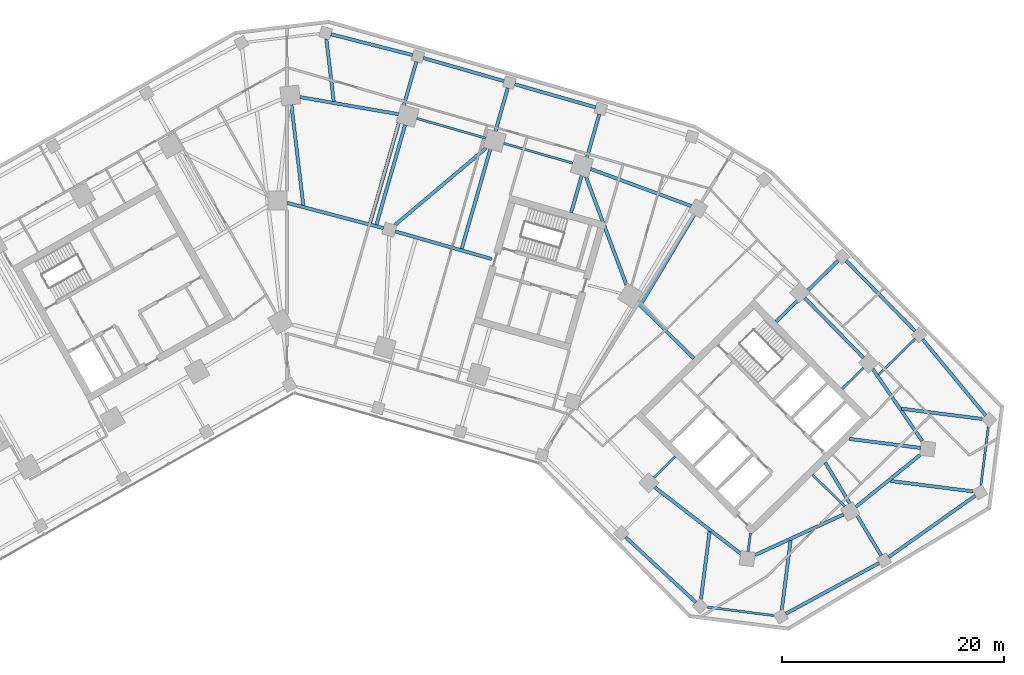
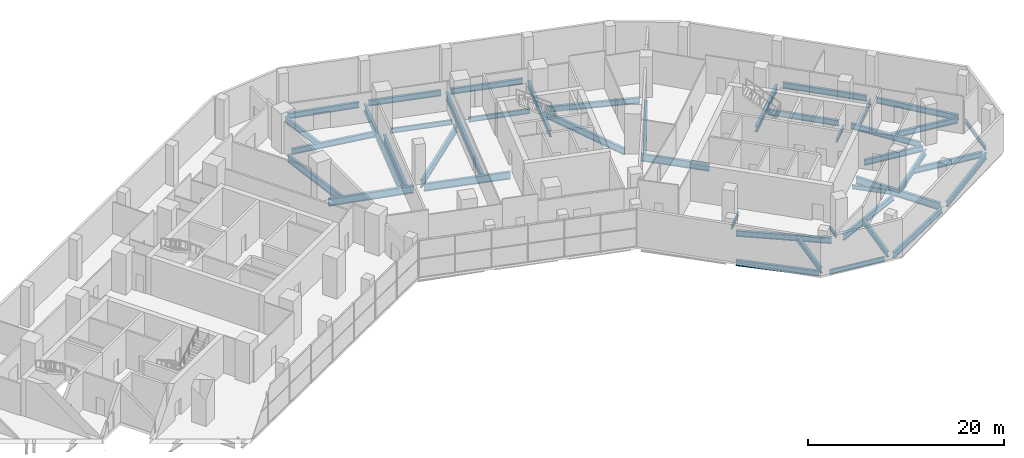
# One storey, part 6 of 15: 43 beams.
"""IFC4 building model written with IfcOpenShell, lengths in metres."""

from ifc_helpers import new_model, si_unit, direction, frame, origin, origin_2d, place, context, subcontext, project, spatial, i_section, extrude, material, material_profile, profile_set, type_object, element, save


model = new_model("IFC4")

# Units and contexts
model_context = context("Model", 3, precision=1e-05, world=origin(), true_north=direction((0.0, 1.0)))
body_context = subcontext(model_context, "Body", "Model", "MODEL_VIEW")
ifc_project = project(units=[si_unit("LENGTHUNIT", "METRE"), si_unit("AREAUNIT", "SQUARE_METRE"), si_unit("VOLUMEUNIT", "CUBIC_METRE"), si_unit("PLANEANGLEUNIT", "RADIAN"), si_unit("MASSUNIT", "GRAM", prefix="KILO")], contexts=[model_context])

# Site, building, storey
site_placement = place(None, origin())
site = spatial("IfcSite", under=ifc_project, at=site_placement, CompositionType="ELEMENT")
building_placement = place(site_placement, origin())
building = spatial("IfcBuilding", under=site, at=building_placement, Name="Binnacle Exchange Tower", CompositionType="ELEMENT")
storey_placement = place(building_placement, frame((0.0, 0.0, 16.5)))
storey = spatial("IfcBuildingStorey", under=building, at=storey_placement, Name="L03", CompositionType="ELEMENT", Elevation=16.5)

# Beams
ifc_material = material(Name="Steel S355 (SHN355)", Category="steel")
ifc_material_profile_1 = material_profile(ifc_material, i_section(OverallWidth=0.200927734375, OverallDepth=0.506103515625, WebThickness=0.010986328125, FlangeThickness=0.01904296875, FilletRadius=0.02001953125, at=origin_2d()), Name="H 506x201x11x19")
ifc_profile_set_1 = profile_set([ifc_material_profile_1], Name="Steel S355 (SHN355)")
beam_type_1 = type_object("IfcBeamType", Name="Edge girder H 506x201x11x19 Steel S355 (SHN355)", PredefinedType="SPANDREL", material=ifc_profile_set_1)
beam_1_placement = place(storey_placement, frame((63.271728515625, 39.56591796875, -0.60302734375), z_axis=(-0.126220609822, -0.992002196397, 0.0), x_axis=(0.992002196397, -0.126220609822, 0.0)))
element("IfcBeam", 1, at=beam_1_placement, inside=storey, type_object=beam_type_1, Name="S:BM:edge:L03:075", PredefinedType="SPANDREL", context=body_context, shape_type="SweptSolid", body=[
    extrude(i_section(OverallWidth=0.200927734375, OverallDepth=0.506103515625, WebThickness=0.010986328125, FlangeThickness=0.01904296875, FilletRadius=0.02001953125, at=origin_2d()), origin(), (0.0, 0.0, 1.0), 5.319091796875),
])
ifc_material_profile_2 = material_profile(ifc_material, i_section(OverallWidth=0.200927734375, OverallDepth=0.60595703125, WebThickness=0.011962890625, FlangeThickness=0.02001953125, FilletRadius=0.02197265625, at=origin_2d()), Name="H 606x201x12x20")
ifc_profile_set_2 = profile_set([ifc_material_profile_2], Name="Steel S355 (SHN355)")
beam_type_2 = type_object("IfcBeamType", Name="Edge girder H 606x201x12x20 Steel S355 (SHN355)", PredefinedType="SPANDREL", material=ifc_profile_set_2)
beam_2_placement = place(storey_placement, frame((43.931884765625, 22.540283203125, -0.653076171875), z_axis=(-0.992003760978, 0.126208312743, 0.0), x_axis=(-0.126208312743, -0.992003760978, 0.0)))
element("IfcBeam", 2, at=beam_2_placement, inside=storey, type_object=beam_type_2, Name="S:BM:edge:L03:066", PredefinedType="SPANDREL", context=body_context, shape_type="SweptSolid", body=[
    extrude(i_section(OverallWidth=0.200927734375, OverallDepth=0.60595703125, WebThickness=0.011962890625, FlangeThickness=0.02001953125, FilletRadius=0.02197265625, at=origin_2d()), origin(), (0.0, 0.0, 1.0), 6.081787109375),
])
ifc_material_profile_3 = material_profile(ifc_material, i_section(OverallWidth=0.201904296875, OverallDepth=0.612060546875, WebThickness=0.012939453125, FlangeThickness=0.02294921875, FilletRadius=0.02197265625, at=origin_2d()), Name="H 612x202x13x23")
ifc_profile_set_3 = profile_set([ifc_material_profile_3], Name="Steel S355 (SHN355)")
beam_type_3 = type_object("IfcBeamType", Name="Edge girder H 612x202x13x23 Steel S355 (SHN355)", PredefinedType="SPANDREL", material=ifc_profile_set_3)
for number, where, z_axis, x_axis, name in (
    (3, (17.92919921875, 65.610595703125, -0.656005859375), (-0.961261624999, 0.275637603213, 0.0), (-0.275637603213, -0.961261624999, 0.0), "S:BM:edge:L03:052"),
    (4, (25.78564453125, 63.35791015625, -0.656005859375), (-0.961271618025, 0.275602751036, 0.0), (-0.275602751036, -0.961271618025, 0.0), "S:BM:edge:L03:056"),
):
    element("IfcBeam", number, at=place(storey_placement, frame(where, z_axis=z_axis, x_axis=x_axis)), inside=storey, type_object=beam_type_3, Name=name, PredefinedType="SPANDREL", context=body_context, shape_type="SweptSolid", body=[
        extrude(i_section(OverallWidth=0.201904296875, OverallDepth=0.612060546875, WebThickness=0.012939453125, FlangeThickness=0.02294921875, FilletRadius=0.02197265625, at=origin_2d()), origin(), (0.0, 0.0, 1.0), 6.472900390625),
    ])
ifc_material_profile_4 = material_profile(ifc_material, i_section(OverallWidth=0.300048828125, OverallDepth=0.699951171875, WebThickness=0.012939453125, FlangeThickness=0.02392578125, FilletRadius=0.028076171875, at=origin_2d()), Name="H 700x300x13x24")
ifc_profile_set_4 = profile_set([ifc_material_profile_4], Name="Steel S355 (SHN355)")
beam_type_4 = type_object("IfcBeamType", Name="Edge girder H 700x300x13x24 Steel S355 (SHN355)", PredefinedType="SPANDREL", material=ifc_profile_set_4)
beam_3_placement = place(storey_placement, frame((3.970703125, 74.985595703125, -0.699951171875), z_axis=(0.96888078872, -0.247527811062, 0.0), x_axis=(0.247527811062, 0.96888078872, 0.0)))
element("IfcBeam", 5, at=beam_3_placement, inside=storey, type_object=beam_type_4, Name="S:BM:edge:L03:046", PredefinedType="SPANDREL", context=body_context, shape_type="SweptSolid", body=[
    extrude(i_section(OverallWidth=0.300048828125, OverallDepth=0.699951171875, WebThickness=0.012939453125, FlangeThickness=0.02392578125, FilletRadius=0.028076171875, at=origin_2d()), origin(), (0.0, 0.0, 1.0), 7.589599609375),
])
beam_4_placement = place(storey_placement, frame((10.047607421875, 67.77490234375, -0.699951171875), z_axis=(-0.985312460293, 0.17076110679, 0.0), x_axis=(-0.17076110679, -0.985312460293, 0.0)))
element("IfcBeam", 6, at=beam_4_placement, inside=storey, type_object=beam_type_4, Name="S:BM:edge:L03:049", PredefinedType="SPANDREL", context=body_context, shape_type="SweptSolid", body=[
    extrude(i_section(OverallWidth=0.300048828125, OverallDepth=0.699951171875, WebThickness=0.012939453125, FlangeThickness=0.02392578125, FilletRadius=0.028076171875, at=origin_2d()), origin(), (0.0, 0.0, 1.0), 9.005859375),
])
beam_5_placement = place(storey_placement, frame((12.289306640625, 72.84521484375, -0.699951171875), z_axis=(0.961270944274, -0.275605100996, 0.0), x_axis=(0.275605100996, 0.961270944274, 0.0)))
element("IfcBeam", 7, at=beam_5_placement, inside=storey, type_object=beam_type_4, Name="S:BM:edge:L03:050", PredefinedType="SPANDREL", context=body_context, shape_type="SweptSolid", body=[
    extrude(i_section(OverallWidth=0.300048828125, OverallDepth=0.699951171875, WebThickness=0.012939453125, FlangeThickness=0.02392578125, FilletRadius=0.028076171875, at=origin_2d()), origin(), (0.0, 0.0, 1.0), 7.586181640625),
])
beam_6_placement = place(storey_placement, frame((20.54296875, 70.478759765625, -0.699951171875), z_axis=(0.961262417922, -0.275634837948, 0.0), x_axis=(0.275634837948, 0.961262417922, 0.0)))
element("IfcBeam", 8, at=beam_6_placement, inside=storey, type_object=beam_type_4, Name="S:BM:edge:L03:054", PredefinedType="SPANDREL", context=body_context, shape_type="SweptSolid", body=[
    extrude(i_section(OverallWidth=0.300048828125, OverallDepth=0.699951171875, WebThickness=0.012939453125, FlangeThickness=0.02392578125, FilletRadius=0.028076171875, at=origin_2d()), origin(), (0.0, 0.0, 1.0), 7.58642578125),
])
beam_7_placement = place(storey_placement, frame((36.89990234375, 23.728515625, -0.699951171875), z_axis=(-0.733314595009, 0.679889479803, 0.0), x_axis=(-0.679889479803, -0.733314595009, 0.0)))
element("IfcBeam", 9, at=beam_7_placement, inside=storey, type_object=beam_type_4, Name="S:BM:edge:L03:062", PredefinedType="SPANDREL", context=body_context, shape_type="SweptSolid", body=[
    extrude(i_section(OverallWidth=0.300048828125, OverallDepth=0.699951171875, WebThickness=0.012939453125, FlangeThickness=0.02392578125, FilletRadius=0.028076171875, at=origin_2d()), origin(), (0.0, 0.0, 1.0), 8.67333984375),
])
beam_8_placement = place(storey_placement, frame((42.215576171875, 27.99365234375, -0.699951171875), z_axis=(0.909179052108, 0.416405392866, 0.0), x_axis=(-0.416405392866, 0.909179052108, 0.0)))
element("IfcBeam", 10, at=beam_8_placement, inside=storey, type_object=beam_type_4, Name="S:BM:edge:L03:064", PredefinedType="SPANDREL", context=body_context, shape_type="SweptSolid", body=[
    extrude(i_section(OverallWidth=0.300048828125, OverallDepth=0.699951171875, WebThickness=0.012939453125, FlangeThickness=0.02392578125, FilletRadius=0.028076171875, at=origin_2d()), origin(), (0.0, 0.0, 1.0), 8.801025390625),
])
beam_9_placement = place(storey_placement, frame((50.436279296875, 54.553466796875, -0.699951171875), z_axis=(0.700891088092, -0.713268310408, 0.0), x_axis=(0.713268310408, 0.700891088092, 0.0)))
element("IfcBeam", 11, at=beam_9_placement, inside=storey, type_object=beam_type_4, Name="S:BM:edge:L03:068", PredefinedType="SPANDREL", context=body_context, shape_type="SweptSolid", body=[
    extrude(i_section(OverallWidth=0.300048828125, OverallDepth=0.699951171875, WebThickness=0.012939453125, FlangeThickness=0.02392578125, FilletRadius=0.028076171875, at=origin_2d()), origin(), (0.0, 0.0, 1.0), 8.89599609375),
])
beam_10_placement = place(storey_placement, frame((52.010986328125, 45.802978515625, -0.699951171875), z_axis=(-0.700905226564, 0.713254417004, 0.0), x_axis=(-0.713254417004, -0.700905226564, 0.0)))
element("IfcBeam", 12, at=beam_10_placement, inside=storey, type_object=beam_type_4, Name="S:BM:edge:L03:070", PredefinedType="SPANDREL", context=body_context, shape_type="SweptSolid", body=[
    extrude(i_section(OverallWidth=0.300048828125, OverallDepth=0.699951171875, WebThickness=0.012939453125, FlangeThickness=0.02392578125, FilletRadius=0.028076171875, at=origin_2d()), origin(), (0.0, 0.0, 1.0), 7.57177734375),
])
beam_11_placement = place(storey_placement, frame((53.42431640625, 27.28369140625, -0.699951171875), z_axis=(-0.878284521439, -0.478138368468, 0.0), x_axis=(0.478138368468, -0.878284521439, 0.0)))
element("IfcBeam", 13, at=beam_11_placement, inside=storey, type_object=beam_type_4, Name="S:BM:edge:L03:071", PredefinedType="SPANDREL", context=body_context, shape_type="SweptSolid", body=[
    extrude(i_section(OverallWidth=0.300048828125, OverallDepth=0.699951171875, WebThickness=0.012939453125, FlangeThickness=0.02392578125, FilletRadius=0.028076171875, at=origin_2d()), origin(), (0.0, 0.0, 1.0), 9.588134765625),
])
beam_12_placement = place(storey_placement, frame((57.341796875, 47.46484375, -0.699951171875), z_axis=(0.63729683622, -0.770618415653, 0.0), x_axis=(0.770618415653, 0.63729683622, 0.0)))
element("IfcBeam", 14, at=beam_12_placement, inside=storey, type_object=beam_type_4, Name="S:BM:edge:L03:073", PredefinedType="SPANDREL", context=body_context, shape_type="SweptSolid", body=[
    extrude(i_section(OverallWidth=0.300048828125, OverallDepth=0.699951171875, WebThickness=0.012939453125, FlangeThickness=0.02392578125, FilletRadius=0.028076171875, at=origin_2d()), origin(), (0.0, 0.0, 1.0), 8.928955078125),
])
beam_13_placement = place(storey_placement, frame((62.111083984375, 33.36767578125, -0.699951171875), z_axis=(-0.815901600123, -0.578190780726, 0.0), x_axis=(0.578190780726, -0.815901600123, 0.0)))
element("IfcBeam", 15, at=beam_13_placement, inside=storey, type_object=beam_type_4, Name="S:BM:edge:L03:074", PredefinedType="SPANDREL", context=body_context, shape_type="SweptSolid", body=[
    extrude(i_section(OverallWidth=0.300048828125, OverallDepth=0.699951171875, WebThickness=0.012939453125, FlangeThickness=0.02392578125, FilletRadius=0.028076171875, at=origin_2d()), origin(), (0.0, 0.0, 1.0), 9.60693359375),
])
ifc_material_profile_5 = material_profile(ifc_material, i_section(OverallWidth=0.302001953125, OverallDepth=0.7080078125, WebThickness=0.014892578125, FlangeThickness=0.028076171875, FilletRadius=0.028076171875, at=origin_2d()), Name="H 708x302x15x28")
ifc_profile_set_5 = profile_set([ifc_material_profile_5], Name="Steel S355 (SHN355)")
beam_type_5 = type_object("IfcBeamType", Name="Edge girder H 708x302x15x28 Steel S355 (SHN355)", PredefinedType="SPANDREL", material=ifc_profile_set_5)
beam_14_placement = place(storey_placement, frame((33.160400390625, 34.12890625, -0.7041015625), z_axis=(0.791533490776, -0.611125791454, 0.0), x_axis=(0.611125791454, 0.791533490776, 0.0)))
element("IfcBeam", 16, at=beam_14_placement, inside=storey, type_object=beam_type_5, Name="S:BM:edge:L03:060", PredefinedType="SPANDREL", context=body_context, shape_type="SweptSolid", body=[
    extrude(i_section(OverallWidth=0.302001953125, OverallDepth=0.7080078125, WebThickness=0.014892578125, FlangeThickness=0.028076171875, FilletRadius=0.028076171875, at=origin_2d()), origin(), (0.0, 0.0, 1.0), 9.80712890625),
])
beam_15_placement = place(storey_placement, frame((36.464599609375, 59.490966796875, -0.7041015625), z_axis=(-0.938368148393, 0.345637408395, 0.0), x_axis=(-0.345637408395, -0.938368148393, 0.0)))
element("IfcBeam", 17, at=beam_15_placement, inside=storey, type_object=beam_type_5, Name="S:BM:edge:L03:061", PredefinedType="SPANDREL", context=body_context, shape_type="SweptSolid", body=[
    extrude(i_section(OverallWidth=0.302001953125, OverallDepth=0.7080078125, WebThickness=0.014892578125, FlangeThickness=0.028076171875, FilletRadius=0.028076171875, at=origin_2d()), origin(), (0.0, 0.0, 1.0), 9.6572265625),
])
beam_16_placement = place(storey_placement, frame((51.322265625, 32.343505859375, -0.7041015625), z_axis=(0.777568489665, 0.628798253719, 0.0), x_axis=(-0.628798253719, 0.777568489665, 0.0)))
element("IfcBeam", 18, at=beam_16_placement, inside=storey, type_object=beam_type_5, Name="S:BM:edge:L03:069", PredefinedType="SPANDREL", context=body_context, shape_type="SweptSolid", body=[
    extrude(i_section(OverallWidth=0.302001953125, OverallDepth=0.7080078125, WebThickness=0.014892578125, FlangeThickness=0.028076171875, FilletRadius=0.028076171875, at=origin_2d()), origin(), (0.0, 0.0, 1.0), 7.428955078125),
])
beam_17_placement = place(storey_placement, frame((57.305419921875, 38.299072265625, -0.7041015625), z_axis=(-0.566409202341, 0.82412415054, 0.0), x_axis=(-0.82412415054, -0.566409202341, 0.0)))
element("IfcBeam", 19, at=beam_17_placement, inside=storey, type_object=beam_type_5, Name="S:BM:edge:L03:072", PredefinedType="SPANDREL", context=body_context, shape_type="SweptSolid", body=[
    extrude(i_section(OverallWidth=0.302001953125, OverallDepth=0.7080078125, WebThickness=0.014892578125, FlangeThickness=0.028076171875, FilletRadius=0.028076171875, at=origin_2d()), origin(), (0.0, 0.0, 1.0), 7.8828125),
])
ifc_material_profile_6 = material_profile(ifc_material, i_section(OverallWidth=0.199951171875, OverallDepth=0.39990234375, WebThickness=0.008056640625, FlangeThickness=0.012939453125, FilletRadius=0.01611328125, at=origin_2d()), Name="H 400x200x8x13")
ifc_profile_set_6 = profile_set([ifc_material_profile_6], Name="Steel S355 (SHN355)")
beam_type_6 = type_object("IfcBeamType", Name="Floor beam H 400x200x8x13 Steel S355 (SHN355)", PredefinedType="BEAM", material=ifc_profile_set_6)
beam_18_placement = place(storey_placement, frame((33.104736328125, 34.985595703125, -0.550048828125), z_axis=(0.713254209224, 0.700905438004, 0.0), x_axis=(-0.700905438004, 0.713254209224, 0.0)))
element("IfcBeam", 20, at=beam_18_placement, inside=storey, type_object=beam_type_6, Name="S:BM:cross:L03:114", PredefinedType="BEAM", context=body_context, shape_type="SweptSolid", body=[
    extrude(i_section(OverallWidth=0.199951171875, OverallDepth=0.39990234375, WebThickness=0.008056640625, FlangeThickness=0.012939453125, FilletRadius=0.01611328125, at=origin_2d()), origin(), (0.0, 0.0, 1.0), 2.70849609375),
])
beam_19_placement = place(storey_placement, frame((41.601806640625, 28.319580078125, -0.550048828125), z_axis=(0.126197116971, 0.992005185303, 0.0), x_axis=(-0.992005185303, 0.126197116971, 0.0)))
element("IfcBeam", 21, at=beam_19_placement, inside=storey, type_object=beam_type_6, Name="S:BM:cross:L03:118", PredefinedType="BEAM", context=body_context, shape_type="SweptSolid", body=[
    extrude(i_section(OverallWidth=0.199951171875, OverallDepth=0.39990234375, WebThickness=0.008056640625, FlangeThickness=0.012939453125, FilletRadius=0.01611328125, at=origin_2d()), origin(), (0.0, 0.0, 1.0), 1.68115234375),
])
beam_20_placement = place(storey_placement, frame((52.003173828125, 44.8837890625, -0.550048828125), z_axis=(-0.713254209224, -0.700905438004, 0.0), x_axis=(0.700905438004, -0.713254209224, 0.0)))
element("IfcBeam", 22, at=beam_20_placement, inside=storey, type_object=beam_type_6, Name="S:BM:cross:L03:122", PredefinedType="BEAM", context=body_context, shape_type="SweptSolid", body=[
    extrude(i_section(OverallWidth=0.199951171875, OverallDepth=0.39990234375, WebThickness=0.008056640625, FlangeThickness=0.012939453125, FilletRadius=0.01611328125, at=origin_2d()), origin(), (0.0, 0.0, 1.0), 2.70849609375),
])
ifc_material_profile_7 = material_profile(ifc_material, i_section(OverallWidth=0.199951171875, OverallDepth=0.60009765625, WebThickness=0.010986328125, FlangeThickness=0.01708984375, FilletRadius=0.02197265625, at=origin_2d()), Name="H 600x200x11x17")
ifc_profile_set_7 = profile_set([ifc_material_profile_7], Name="Steel S355 (SHN355)")
beam_type_7 = type_object("IfcBeamType", Name="Floor beam H 600x200x11x17 Steel S355 (SHN355)", PredefinedType="BEAM", material=ifc_profile_set_7)
beam_21_placement = place(storey_placement, frame((56.665283203125, 47.501220703125, -0.64990234375), z_axis=(-0.713253693622, -0.70090596269, 0.0), x_axis=(0.70090596269, -0.713253693622, 0.0)))
element("IfcBeam", 23, at=beam_21_placement, inside=storey, type_object=beam_type_7, Name="S:BM:cross:L03:124", PredefinedType="BEAM", context=body_context, shape_type="SweptSolid", body=[
    extrude(i_section(OverallWidth=0.199951171875, OverallDepth=0.60009765625, WebThickness=0.010986328125, FlangeThickness=0.01708984375, FilletRadius=0.02197265625, at=origin_2d()), origin(), (0.0, 0.0, 1.0), 4.60693359375),
])
ifc_material_profile_8 = material_profile(ifc_material, i_section(OverallWidth=0.300048828125, OverallDepth=0.699951171875, WebThickness=0.012939453125, FlangeThickness=0.02392578125, FilletRadius=0.028076171875, at=origin_2d()), Name="H 700x300x13x24")
ifc_profile_set_8 = profile_set([ifc_material_profile_8], Name="Steel S355 (SHN355)")
beam_type_8 = type_object("IfcBeamType", Name="Floor beam H 700x300x13x24 Steel S355 (SHN355)", PredefinedType="BEAM", material=ifc_profile_set_8)
beam_22_placement = place(storey_placement, frame((3.5498046875, 74.571044921875, -0.699951171875), z_axis=(0.117529616855, -0.993069377819, 0.0), x_axis=(0.993069377819, 0.117529616855, 0.0)))
element("IfcBeam", 24, at=beam_22_placement, inside=storey, type_object=beam_type_8, Name="S:BM:cross:L03:104", PredefinedType="BEAM", context=body_context, shape_type="SweptSolid", body=[
    extrude(i_section(OverallWidth=0.300048828125, OverallDepth=0.699951171875, WebThickness=0.012939453125, FlangeThickness=0.02392578125, FilletRadius=0.028076171875, at=origin_2d()), origin(), (0.0, 0.0, 1.0), 5.67919921875),
])
beam_23_placement = place(storey_placement, frame((37.347412109375, 24.019775390625, -0.699951171875), z_axis=(0.126189771205, 0.992006119761, 0.0), x_axis=(-0.992006119761, 0.126189771205, 0.0)))
element("IfcBeam", 25, at=beam_23_placement, inside=storey, type_object=beam_type_8, Name="S:BM:cross:L03:117", PredefinedType="BEAM", context=body_context, shape_type="SweptSolid", body=[
    extrude(i_section(OverallWidth=0.300048828125, OverallDepth=0.699951171875, WebThickness=0.012939453125, FlangeThickness=0.02392578125, FilletRadius=0.028076171875, at=origin_2d()), origin(), (0.0, 0.0, 1.0), 6.162109375),
])
beam_24_placement = place(storey_placement, frame((44.643798828125, 23.091552734375, -0.699951171875), z_axis=(0.126227881038, 0.992001271193, 0.0), x_axis=(-0.992001271193, 0.126227881038, 0.0)))
element("IfcBeam", 26, at=beam_24_placement, inside=storey, type_object=beam_type_8, Name="S:BM:cross:L03:120", PredefinedType="BEAM", context=body_context, shape_type="SweptSolid", body=[
    extrude(i_section(OverallWidth=0.300048828125, OverallDepth=0.699951171875, WebThickness=0.012939453125, FlangeThickness=0.02392578125, FilletRadius=0.028076171875, at=origin_2d()), origin(), (0.0, 0.0, 1.0), 6.287841796875),
])
beam_25_placement = place(storey_placement, frame((57.154296875, 37.6630859375, -0.699951171875), z_axis=(-0.992006658356, 0.126185537116, 0.0), x_axis=(-0.126185537116, -0.992006658356, 0.0)))
element("IfcBeam", 27, at=beam_25_placement, inside=storey, type_object=beam_type_8, Name="S:BM:cross:L03:125", PredefinedType="BEAM", context=body_context, shape_type="SweptSolid", body=[
    extrude(i_section(OverallWidth=0.300048828125, OverallDepth=0.699951171875, WebThickness=0.012939453125, FlangeThickness=0.02392578125, FilletRadius=0.028076171875, at=origin_2d()), origin(), (0.0, 0.0, 1.0), 6.4814453125),
])
ifc_material_profile_9 = material_profile(ifc_material, i_section(OverallWidth=0.302001953125, OverallDepth=0.7080078125, WebThickness=0.014892578125, FlangeThickness=0.028076171875, FilletRadius=0.028076171875, at=origin_2d()), Name="H 708x302x15x28")
ifc_profile_set_9 = profile_set([ifc_material_profile_9], Name="Steel S355 (SHN355)")
beam_type_9 = type_object("IfcBeamType", Name="Floor beam H 708x302x15x28 Steel S355 (SHN355)", PredefinedType="BEAM", material=ifc_profile_set_9)
beam_26_placement = place(storey_placement, frame((49.72900390625, 54.5595703125, -0.7041015625), z_axis=(-0.713254513072, -0.700905128803, 0.0), x_axis=(0.700905128803, -0.713254513072, 0.0)))
element("IfcBeam", 28, at=beam_26_placement, inside=storey, type_object=beam_type_9, Name="S:BM:cross:L03:121", PredefinedType="BEAM", context=body_context, shape_type="SweptSolid", body=[
    extrude(i_section(OverallWidth=0.302001953125, OverallDepth=0.7080078125, WebThickness=0.014892578125, FlangeThickness=0.028076171875, FilletRadius=0.028076171875, at=origin_2d()), origin(), (0.0, 0.0, 1.0), 7.8681640625),
])
beam_27_placement = place(storey_placement, frame((61.888427734375, 33.73779296875, -0.7041015625), z_axis=(-0.992002917096, 0.12621494552, 0.0), x_axis=(-0.12621494552, -0.992002917096, 0.0)))
element("IfcBeam", 29, at=beam_27_placement, inside=storey, type_object=beam_type_9, Name="S:BM:cross:L03:126", PredefinedType="BEAM", context=body_context, shape_type="SweptSolid", body=[
    extrude(i_section(OverallWidth=0.302001953125, OverallDepth=0.7080078125, WebThickness=0.014892578125, FlangeThickness=0.028076171875, FilletRadius=0.028076171875, at=origin_2d()), origin(), (0.0, 0.0, 1.0), 7.551513671875),
])
beam_28_placement = place(storey_placement, frame((62.720458984375, 40.277587890625, -0.7041015625), z_axis=(-0.992000413131, 0.126234624202, 0.0), x_axis=(-0.126234624202, -0.992000413131, 0.0)))
element("IfcBeam", 30, at=beam_28_placement, inside=storey, type_object=beam_type_9, Name="S:BM:cross:L03:127", PredefinedType="BEAM", context=body_context, shape_type="SweptSolid", body=[
    extrude(i_section(OverallWidth=0.302001953125, OverallDepth=0.7080078125, WebThickness=0.014892578125, FlangeThickness=0.028076171875, FilletRadius=0.028076171875, at=origin_2d()), origin(), (0.0, 0.0, 1.0), 7.333740234375),
])
ifc_material_profile_10 = material_profile(ifc_material, i_section(OverallWidth=0.302001953125, OverallDepth=0.80810546875, WebThickness=0.01611328125, FlangeThickness=0.030029296875, FilletRadius=0.028076171875, at=origin_2d()), Name="H 808x302x16x30")
ifc_profile_set_10 = profile_set([ifc_material_profile_10], Name="Steel S355 (SHN355)")
beam_type_10 = type_object("IfcBeamType", Name="Floor beam H 808x302x16x30 Steel S355 (SHN355)", PredefinedType="BEAM", material=ifc_profile_set_10)
beam_29_placement = place(storey_placement, frame((28.17822265625, 67.769287109375, -0.75390625), z_axis=(-0.275646254267, -0.961259144304, 0.0), x_axis=(0.961259144304, -0.275646254267, 0.0)))
element("IfcBeam", 31, at=beam_29_placement, inside=storey, type_object=beam_type_10, Name="S:BM:cross:L03:112", PredefinedType="BEAM", context=body_context, shape_type="SweptSolid", body=[
    extrude(i_section(OverallWidth=0.302001953125, OverallDepth=0.80810546875, WebThickness=0.01611328125, FlangeThickness=0.030029296875, FilletRadius=0.028076171875, at=origin_2d()), origin(), (0.0, 0.0, 1.0), 9.235107421875),
])
ifc_material_profile_11 = material_profile(ifc_material, i_section(OverallWidth=0.300048828125, OverallDepth=0.89990234375, WebThickness=0.01611328125, FlangeThickness=0.028076171875, FilletRadius=0.028076171875, at=origin_2d()), Name="H 900x300x16x28")
ifc_profile_set_11 = profile_set([ifc_material_profile_11], Name="Steel S355 (SHN355)")
beam_type_11 = type_object("IfcBeamType", Name="Floor beam H 900x300x16x28 Steel S355 (SHN355)", PredefinedType="BEAM", material=ifc_profile_set_11)
beam_30_placement = place(storey_placement, frame((0.39990234375, 68.6201171875, -0.800048828125), z_axis=(0.117562643201, -0.993065468599, 0.0), x_axis=(0.993065468599, 0.117562643201, 0.0)))
element("IfcBeam", 32, at=beam_30_placement, inside=storey, type_object=beam_type_11, Name="S:BM:cross:L03:103", PredefinedType="BEAM", context=body_context, shape_type="SweptSolid", body=[
    extrude(i_section(OverallWidth=0.300048828125, OverallDepth=0.89990234375, WebThickness=0.01611328125, FlangeThickness=0.028076171875, FilletRadius=0.028076171875, at=origin_2d()), origin(), (0.0, 0.0, 1.0), 9.14990234375),
])
beam_31_placement = place(storey_placement, frame((36.752685546875, 58.703857421875, -0.800048828125), z_axis=(-0.511298188751, -0.859403375709, 0.0), x_axis=(0.859403375709, -0.511298188751, 0.0)))
element("IfcBeam", 33, at=beam_31_placement, inside=storey, type_object=beam_type_11, Name="S:BM:cross:L03:116", PredefinedType="BEAM", context=body_context, shape_type="SweptSolid", body=[
    extrude(i_section(OverallWidth=0.300048828125, OverallDepth=0.89990234375, WebThickness=0.01611328125, FlangeThickness=0.028076171875, FilletRadius=0.028076171875, at=origin_2d()), origin(), (0.0, 0.0, 1.0), 9.385986328125),
])
ifc_material_profile_12 = material_profile(ifc_material, i_section(OverallWidth=0.302001953125, OverallDepth=0.912109375, WebThickness=0.01806640625, FlangeThickness=0.033935546875, FilletRadius=0.028076171875, at=origin_2d()), Name="H 912x302x18x34")
ifc_profile_set_12 = profile_set([ifc_material_profile_12], Name="Steel S355 (SHN355)")
beam_type_12 = type_object("IfcBeamType", Name="Floor beam H 912x302x18x34 Steel S355 (SHN355)", PredefinedType="BEAM", material=ifc_profile_set_12)
beam_32_placement = place(storey_placement, frame((10.65576171875, 66.81201171875, -0.805908203125), z_axis=(-0.275626703457, -0.961264750389, 0.0), x_axis=(0.961264750389, -0.275626703457, 0.0)))
element("IfcBeam", 34, at=beam_32_placement, inside=storey, type_object=beam_type_12, Name="S:BM:cross:L03:107", PredefinedType="BEAM", context=body_context, shape_type="SweptSolid", body=[
    extrude(i_section(OverallWidth=0.302001953125, OverallDepth=0.912109375, WebThickness=0.01806640625, FlangeThickness=0.033935546875, FilletRadius=0.028076171875, at=origin_2d()), origin(), (0.0, 0.0, 1.0), 9.363525390625),
])
beam_33_placement = place(storey_placement, frame((53.606201171875, 27.95166015625, -0.805908203125), z_axis=(-0.515037836235, 0.857167444112, 0.0), x_axis=(-0.857167444112, -0.515037836235, 0.0)))
element("IfcBeam", 35, at=beam_33_placement, inside=storey, type_object=beam_type_12, Name="S:BM:cross:L03:123", PredefinedType="BEAM", context=body_context, shape_type="SweptSolid", body=[
    extrude(i_section(OverallWidth=0.302001953125, OverallDepth=0.912109375, WebThickness=0.01806640625, FlangeThickness=0.033935546875, FilletRadius=0.028076171875, at=origin_2d()), origin(), (0.0, 0.0, 1.0), 9.800537109375),
])
ifc_material_profile_13 = material_profile(ifc_material, i_section(OverallWidth=0.302978515625, OverallDepth=0.91796875, WebThickness=0.01904296875, FlangeThickness=0.037109375, FilletRadius=0.028076171875, at=origin_2d()), Name="H 918x303x19x37")
ifc_profile_set_13 = profile_set([ifc_material_profile_13], Name="Steel S355 (SHN355)")
beam_type_13 = type_object("IfcBeamType", Name="Floor beam H 918x303x19x37 Steel S355 (SHN355)", PredefinedType="BEAM", material=ifc_profile_set_13)
beam_34_placement = place(storey_placement, frame((11.6708984375, 72.50244140625, -0.80908203125), z_axis=(-0.275622715185, -0.961265893951, 0.0), x_axis=(0.961265893951, -0.275622715185, 0.0)))
element("IfcBeam", 36, at=beam_34_placement, inside=storey, type_object=beam_type_13, Name="S:BM:cross:L03:108", PredefinedType="BEAM", context=body_context, shape_type="SweptSolid", body=[
    extrude(i_section(OverallWidth=0.302978515625, OverallDepth=0.91796875, WebThickness=0.01904296875, FlangeThickness=0.037109375, FilletRadius=0.028076171875, at=origin_2d()), origin(), (0.0, 0.0, 1.0), 15.12646484375),
])
beam_35_placement = place(storey_placement, frame((19.924560546875, 70.135986328125, -0.80908203125), z_axis=(-0.275629445944, -0.961263964023, 0.0), x_axis=(0.961263964023, -0.275629445944, 0.0)))
element("IfcBeam", 37, at=beam_35_placement, inside=storey, type_object=beam_type_13, Name="S:BM:cross:L03:110", PredefinedType="BEAM", context=body_context, shape_type="SweptSolid", body=[
    extrude(i_section(OverallWidth=0.302978515625, OverallDepth=0.91796875, WebThickness=0.01904296875, FlangeThickness=0.037109375, FilletRadius=0.028076171875, at=origin_2d()), origin(), (0.0, 0.0, 1.0), 15.085205078125),
])
ifc_material_profile_14 = material_profile(ifc_material, i_section(OverallWidth=0.199951171875, OverallDepth=0.5, WebThickness=0.010009765625, FlangeThickness=0.01611328125, FilletRadius=0.02001953125, at=origin_2d()), Name="H 500x200x10x16")
ifc_profile_set_14 = profile_set([ifc_material_profile_14], Name="Steel S355 (SHN355)")
beam_type_14 = type_object("IfcBeamType", Name="Spine girder H 500x200x10x16 Steel S355 (SHN355)", PredefinedType="BEAM", material=ifc_profile_set_14)
beam_36_placement = place(storey_placement, frame((47.417236328125, 35.23095703125, -0.60009765625), z_axis=(0.717013275689, -0.697059511437, 0.0), x_axis=(0.697059511437, 0.717013275689, 0.0)))
element("IfcBeam", 38, at=beam_36_placement, inside=storey, type_object=beam_type_14, Name="S:BM:spine:L03:013", PredefinedType="BEAM", context=body_context, shape_type="SweptSolid", body=[
    extrude(i_section(OverallWidth=0.199951171875, OverallDepth=0.5, WebThickness=0.010009765625, FlangeThickness=0.01611328125, FilletRadius=0.02001953125, at=origin_2d()), origin(), (0.0, 0.0, 1.0), 4.06201171875),
])
ifc_material_profile_15 = material_profile(ifc_material, i_section(OverallWidth=0.302001953125, OverallDepth=0.80810546875, WebThickness=0.01611328125, FlangeThickness=0.030029296875, FilletRadius=0.028076171875, at=origin_2d()), Name="H 808x302x16x30")
ifc_profile_set_15 = profile_set([ifc_material_profile_15], Name="Steel S355 (SHN355)")
beam_type_15 = type_object("IfcBeamType", Name="Spine girder H 808x302x16x30 Steel S355 (SHN355)", PredefinedType="BEAM", material=ifc_profile_set_15)
beam_37_placement = place(storey_placement, frame((30.614501953125, 52.389892578125, -0.75390625), z_axis=(-0.350104624168, 0.936710602126, 0.0), x_axis=(-0.936710602126, -0.350104624168, 0.0)))
element("IfcBeam", 39, at=beam_37_placement, inside=storey, type_object=beam_type_15, Name="S:BM:spine:L03:011", PredefinedType="BEAM", context=body_context, shape_type="SweptSolid", body=[
    extrude(i_section(OverallWidth=0.302001953125, OverallDepth=0.80810546875, WebThickness=0.01611328125, FlangeThickness=0.030029296875, FilletRadius=0.028076171875, at=origin_2d()), origin(), (0.0, 0.0, 1.0), 10.4013671875),
])
ifc_material_profile_16 = material_profile(ifc_material, i_section(OverallWidth=0.300048828125, OverallDepth=0.89990234375, WebThickness=0.01611328125, FlangeThickness=0.028076171875, FilletRadius=0.028076171875, at=origin_2d()), Name="H 900x300x16x28")
ifc_profile_set_16 = profile_set([ifc_material_profile_16], Name="Steel S355 (SHN355)")
beam_type_16 = type_object("IfcBeamType", Name="Spine girder H 900x300x16x28 Steel S355 (SHN355)", PredefinedType="BEAM", material=ifc_profile_set_16)
beam_38_placement = place(storey_placement, frame((9.74658203125, 57.77734375, -0.800048828125), z_axis=(0.764072930463, 0.64512987602, 0.0), x_axis=(-0.64512987602, 0.764072930463, 0.0)))
element("IfcBeam", 40, at=beam_38_placement, inside=storey, type_object=beam_type_16, Name="S:BM:spine:L03:008", PredefinedType="BEAM", context=body_context, shape_type="SweptSolid", body=[
    extrude(i_section(OverallWidth=0.300048828125, OverallDepth=0.89990234375, WebThickness=0.01611328125, FlangeThickness=0.028076171875, FilletRadius=0.028076171875, at=origin_2d()), origin(), (0.0, 0.0, 1.0), 10.755615234375),
])
beam_39_placement = place(storey_placement, frame((31.60888671875, 50.773681640625, -0.800048828125), z_axis=(0.711013452478, -0.703178405809, 0.0), x_axis=(0.703178405809, 0.711013452478, 0.0)))
element("IfcBeam", 41, at=beam_39_placement, inside=storey, type_object=beam_type_16, Name="S:BM:spine:L03:012", PredefinedType="BEAM", context=body_context, shape_type="SweptSolid", body=[
    extrude(i_section(OverallWidth=0.300048828125, OverallDepth=0.89990234375, WebThickness=0.01611328125, FlangeThickness=0.028076171875, FilletRadius=0.028076171875, at=origin_2d()), origin(), (0.0, 0.0, 1.0), 7.166748046875),
])
ifc_material_profile_17 = material_profile(ifc_material, i_section(OverallWidth=0.302978515625, OverallDepth=0.91796875, WebThickness=0.01904296875, FlangeThickness=0.037109375, FilletRadius=0.028076171875, at=origin_2d()), Name="H 918x303x19x37")
ifc_profile_set_17 = profile_set([ifc_material_profile_17], Name="Steel S355 (SHN355)")
beam_type_17 = type_object("IfcBeamType", Name="Spine girder H 918x303x19x37 Steel S355 (SHN355)", PredefinedType="BEAM", material=ifc_profile_set_17)
beam_40_placement = place(storey_placement, frame((0.0, 59.77685546875, -0.80908203125), z_axis=(0.967208571477, -0.253983423202, 0.0), x_axis=(0.253983423202, 0.967208571477, 0.0)))
element("IfcBeam", 42, at=beam_40_placement, inside=storey, type_object=beam_type_17, Name="S:BM:spine:L03:006", PredefinedType="BEAM", context=body_context, shape_type="SweptSolid", body=[
    extrude(i_section(OverallWidth=0.302978515625, OverallDepth=0.91796875, WebThickness=0.01904296875, FlangeThickness=0.037109375, FilletRadius=0.028076171875, at=origin_2d()), origin(), (0.0, 0.0, 1.0), 9.00390625),
])
beam_41_placement = place(storey_placement, frame((9.76953125, 57.198486328125, -0.80908203125), z_axis=(0.961265329417, -0.275624684057, 0.0), x_axis=(0.275624684057, 0.961265329417, 0.0)))
element("IfcBeam", 43, at=beam_41_placement, inside=storey, type_object=beam_type_17, Name="S:BM:spine:L03:009", PredefinedType="BEAM", context=body_context, shape_type="SweptSolid", body=[
    extrude(i_section(OverallWidth=0.302978515625, OverallDepth=0.91796875, WebThickness=0.01904296875, FlangeThickness=0.037109375, FilletRadius=0.028076171875, at=origin_2d()), origin(), (0.0, 0.0, 1.0), 9.063232421875),
])

save(model, "model.ifc")
